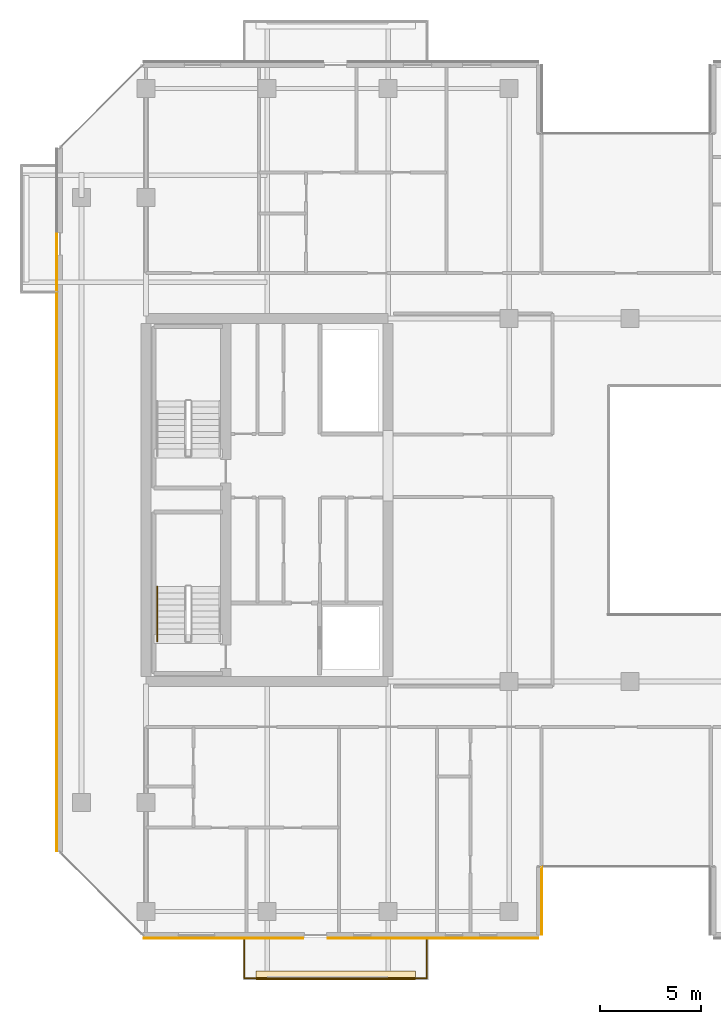
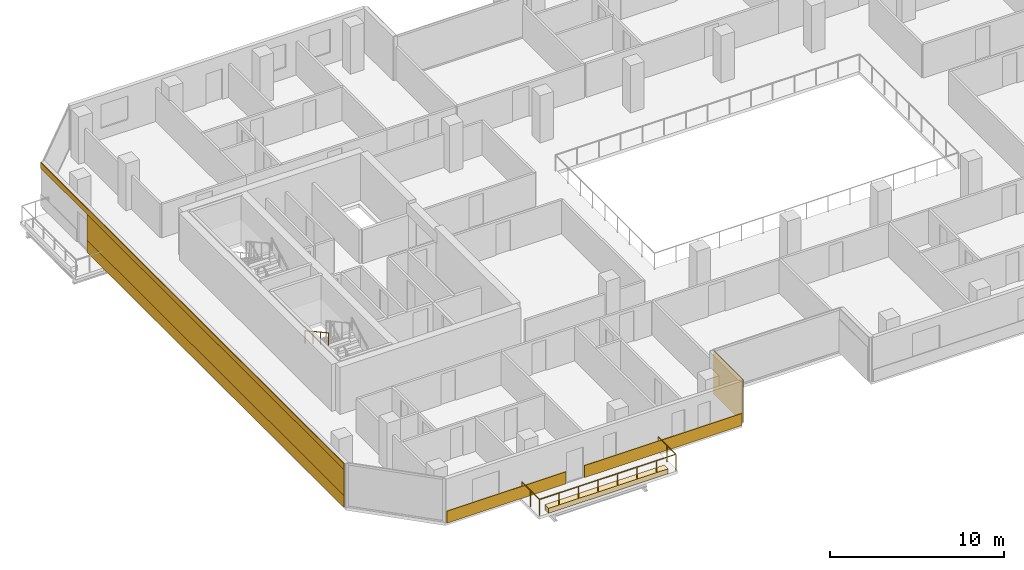
# One storey, part 26 of 29: 7 coverings, 2 railings.
"""IFC4 building model written with IfcOpenShell, lengths in metres."""

from ifc_helpers import new_model, si_unit, direction, frame, origin, origin_2d, place, context, subcontext, project, spatial, polyline, rectangle, outline, extrude, material, layer, layer_set, type_object, element, save


model = new_model("IFC4")

# Units and contexts
model_context = context("Model", 3, precision=1e-05, world=origin(), true_north=direction((0.0, 1.0)))
body_context = subcontext(model_context, "Body", "Model", "MODEL_VIEW")
ifc_project = project(units=[si_unit("LENGTHUNIT", "METRE"), si_unit("AREAUNIT", "SQUARE_METRE"), si_unit("VOLUMEUNIT", "CUBIC_METRE"), si_unit("PLANEANGLEUNIT", "RADIAN"), si_unit("MASSUNIT", "GRAM", prefix="KILO")], contexts=[model_context])

# Site, building, storey
site_placement = place(None, origin())
site = spatial("IfcSite", under=ifc_project, at=site_placement, CompositionType="ELEMENT")
building_placement = place(site_placement, origin())
building = spatial("IfcBuilding", under=site, at=building_placement, Name="Tanjung Sevakor Pilgrim Tower", CompositionType="ELEMENT")
storey_placement = place(building_placement, frame((0.0, 0.0, 151.800048828125)))
storey = spatial("IfcBuildingStorey", under=building, at=storey_placement, Name="L42", CompositionType="ELEMENT", Elevation=151.800048828125)

# Coverings
ifc_material_1 = material(Name="Reconstructed Limestone Cladding", Category="masonry")
ifc_layer_1 = layer(ifc_material_1, 0.044921875)
ifc_layer_set_1 = layer_set([ifc_layer_1], Name="COV-CLAD-LIMESTONE")
covering_type_1 = type_object("IfcCoveringType", Name="COV-CLAD-LIMESTONE", PredefinedType="CLADDING", material=ifc_layer_set_1)
covering_1_placement = place(storey_placement, frame((27.8408203125, 11.87744140625, 0.009765625), z_axis=(0.0, 0.0, 1.0), x_axis=(1.0, 0.0, 0.0)))
element("IfcCovering", 1, at=covering_1_placement, inside=storey, type_object=covering_type_1, Name="L42 Warm Limestone Sill Spandrel EW-L42-MAIN-1-1", PredefinedType="CLADDING", context=body_context, shape_type="SweptSolid", body=[
    extrude(rectangle(XDim=7.898193359375, YDim=0.044921875, at=origin_2d()), origin(), (0.0, 0.0, 1.0), 0.840087890625),
])
covering_2_placement = place(storey_placement, frame((38.222412109375, 11.87744140625, 0.009765625), z_axis=(0.0, 0.0, 1.0), x_axis=(1.0, 0.0, 0.0)))
element("IfcCovering", 2, at=covering_2_placement, inside=storey, type_object=covering_type_1, Name="L42 Warm Limestone Sill Spandrel EW-L42-MAIN-1-2", PredefinedType="CLADDING", context=body_context, shape_type="SweptSolid", body=[
    extrude(rectangle(XDim=10.425048828125, YDim=0.044921875, at=origin_2d()), origin(), (0.0, 0.0, 1.0), 0.840087890625),
])
covering_3_placement = place(storey_placement, frame((43.62255859375, 13.72509765625, 0.02001953125), z_axis=(0.0, 0.0, 1.0), x_axis=(0.0, 1.0, 0.0)))
element("IfcCovering", 3, at=covering_3_placement, inside=storey, type_object=covering_type_1, Name="L42 Warm Limestone Wall Cladding EW-L42-MAIN-2", PredefinedType="CLADDING", context=body_context, shape_type="SweptSolid", body=[
    extrude(rectangle(XDim=3.360107421875, YDim=0.044921875, at=origin_2d()), origin(), (0.0, 0.0, 1.0), 3.0400390625),
])
covering_4_placement = place(storey_placement, frame((19.577392578125, 30.94091796875, 0.009765625), z_axis=(0.0, 0.0, 1.0), x_axis=(0.0, -1.0, 0.0)))
element("IfcCovering", 4, at=covering_4_placement, inside=storey, type_object=covering_type_1, Name="L42 Warm Limestone Sill Spandrel EW-L42-MAIN-15-2", PredefinedType="CLADDING", context=body_context, shape_type="SweptSolid", body=[
    extrude(rectangle(XDim=29.498291015625, YDim=0.044921875, at=origin_2d()), origin(), (0.0, 0.0, 1.0), 0.840087890625),
])
covering_5_placement = place(storey_placement, frame((19.577392578125, 33.60009765625, 2.66015625), z_axis=(0.0, 0.0, 1.0), x_axis=(0.0, -1.0, 0.0)))
element("IfcCovering", 5, at=covering_5_placement, inside=storey, type_object=covering_type_1, Name="L42 Warm Limestone Cornice Spandrel EW-L42-MAIN-15", PredefinedType="CLADDING", context=body_context, shape_type="SweptSolid", body=[
    extrude(rectangle(XDim=34.8564453125, YDim=0.044921875, at=origin_2d()), origin(), (0.0, 0.0, 1.0), 0.409912109375),
])
covering_6_placement = place(storey_placement, frame((19.577392578125, 30.94580078125, 0.849853515625), z_axis=(0.0, 0.0, 1.0), x_axis=(0.0, -1.0, 0.0)))
element("IfcCovering", 6, at=covering_6_placement, inside=storey, type_object=covering_type_1, Name="L42 Warm Limestone Pier Panel EW-L42-MAIN-15-1", PredefinedType="CLADDING", context=body_context, shape_type="SweptSolid", body=[
    extrude(rectangle(XDim=29.50830078125, YDim=0.044921875, at=origin_2d()), origin(), (0.0, 0.0, 1.0), 1.81005859375),
])
ifc_material_2 = material(Name="Vegetated Modular Planter Assembly", Category="organic")
ifc_layer_2 = layer(ifc_material_2, 0.35009765625)
ifc_layer_set_2 = layer_set([ifc_layer_2], Name="COV-GRN-TROUGH")
covering_type_2 = type_object("IfcCoveringType", Name="COV-GRN-TROUGH", PredefinedType="CLADDING", material=ifc_layer_set_2)
covering_7_placement = place(storey_placement, origin())
element("IfcCovering", 7, at=covering_7_placement, inside=storey, type_object=covering_type_2, Name="L42 Planted Landscape Hedge Trough BGRN-L42-MAIN-S1", PredefinedType="CLADDING", context=body_context, shape_type="SweptSolid", body=[
    extrude(outline(polyline([(29.449951171875, 9.800048828125), (37.35009765625, 9.800048828125), (37.35009765625, 10.239990234375), (29.449951171875, 10.239990234375), (29.449951171875, 9.800048828125)])), origin(), (0.0, 0.0, 1.0), 0.349853515625),
])

# Railings
ifc_material_3 = material(Name="Laminated Glass and Aluminium", Category="aluminium")
railing_type_1 = type_object("IfcRailingType", Name="RL-BAL-BALUST", PredefinedType="BALUSTRADE", material=ifc_material_3)
railing_1_placement = place(storey_placement, frame((28.8798828125, 11.89990234375, 0.0)))
element("IfcRailing", 8, at=railing_1_placement, inside=storey, type_object=railing_type_1, Name="L42 Loggia Balustrade MAIN-S1", PredefinedType="BALUSTRADE", context=body_context, shape_type="SweptSolid", body=[
    extrude(rectangle(XDim=0.0479, YDim=0.0479), frame((0.0, 0.0, 1.1259765625), z_axis=(0.0, -1.0, 0.0), x_axis=(1.0, 0.0, 0.0)), (0.0, 0.0, 1.0), 2.02001953125),
    extrude(rectangle(XDim=0.0479, YDim=0.0479), frame((0.0, -2.02001953125, 1.1259765625), z_axis=(1.0, 0.0, 0.0), x_axis=(0.0, 1.0, 0.0)), (0.0, 0.0, 1.0), 9.0400390625),
    extrude(rectangle(XDim=0.0479, YDim=0.0479), frame((9.0400390625, -2.02001953125, 1.1259765625), z_axis=(0.0, 1.0, 0.0), x_axis=(-1.0, 0.0, 0.0)), (0.0, 0.0, 1.0), 2.02001953125),
    extrude(rectangle(XDim=0.042, YDim=0.042), origin(), (0.0, 0.0, 1.0), 1.101806640625),
    extrude(rectangle(XDim=0.042, YDim=0.042), frame((0.0, -1.010009765625, 0.0)), (0.0, 0.0, 1.0), 1.101806640625),
    extrude(rectangle(XDim=0.042, YDim=0.042), frame((0.0, -2.02001953125, 0.0)), (0.0, 0.0, 1.0), 1.101806640625),
    extrude(rectangle(XDim=0.042, YDim=0.042), frame((1.29150390625, -2.02001953125, 0.0)), (0.0, 0.0, 1.0), 1.101806640625),
    extrude(rectangle(XDim=0.042, YDim=0.042), frame((2.582763671875, -2.02001953125, 0.0)), (0.0, 0.0, 1.0), 1.101806640625),
    extrude(rectangle(XDim=0.042, YDim=0.042), frame((3.874267578125, -2.02001953125, 0.0)), (0.0, 0.0, 1.0), 1.101806640625),
    extrude(rectangle(XDim=0.042, YDim=0.042), frame((5.165771484375, -2.02001953125, 0.0)), (0.0, 0.0, 1.0), 1.101806640625),
    extrude(rectangle(XDim=0.042, YDim=0.042), frame((6.457275390625, -2.02001953125, 0.0)), (0.0, 0.0, 1.0), 1.101806640625),
    extrude(rectangle(XDim=0.042, YDim=0.042), frame((7.74853515625, -2.02001953125, 0.0)), (0.0, 0.0, 1.0), 1.101806640625),
    extrude(rectangle(XDim=0.042, YDim=0.042), frame((9.0400390625, -2.02001953125, 0.0)), (0.0, 0.0, 1.0), 1.101806640625),
    extrude(rectangle(XDim=0.042, YDim=0.042), frame((9.0400390625, -1.010009765625, 0.0)), (0.0, 0.0, 1.0), 1.101806640625),
    extrude(rectangle(XDim=0.042, YDim=0.042), frame((9.0400390625, 0.0, 0.0)), (0.0, 0.0, 1.0), 1.101806640625),
])
ifc_material_4 = material(Name="Steel S355J2", Category="steel")
railing_type_2 = type_object("IfcRailingType", Name="RL-STAIR-HAND", PredefinedType="HANDRAIL", material=ifc_material_4)
railing_2_placement = place(storey_placement, frame((24.550048828125, 29.300048828125, 1.81494140625)))
element("IfcRailing", 9, at=railing_2_placement, inside=storey, type_object=railing_type_2, Name="L42 TS-W1 stair handrail 2", PredefinedType="HANDRAIL", context=body_context, shape_type="SweptSolid", body=[
    extrude(rectangle(XDim=0.0479, YDim=0.0479), frame((0.0, 0.0, 0.8759765625), z_axis=(0.0, -0.876197507361, 0.481952205197), x_axis=(1.0, 0.0, 0.0)), (0.0, 0.0, 1.0), 3.08154296875),
    extrude(rectangle(XDim=0.042, YDim=0.042), origin(), (0.0, 0.0, 1.0), 0.851806640625),
    extrude(rectangle(XDim=0.042, YDim=0.042), frame((0.0, -0.89990234375, 0.4951171875)), (0.0, 0.0, 1.0), 0.851806640625),
    extrude(rectangle(XDim=0.042, YDim=0.042), frame((0.0, -1.800048828125, 0.989990234375)), (0.0, 0.0, 1.0), 0.851806640625),
    extrude(rectangle(XDim=0.042, YDim=0.042), frame((0.0, -2.699951171875, 1.485107421875)), (0.0, 0.0, 1.0), 0.851806640625),
])

save(model, "model.ifc")
